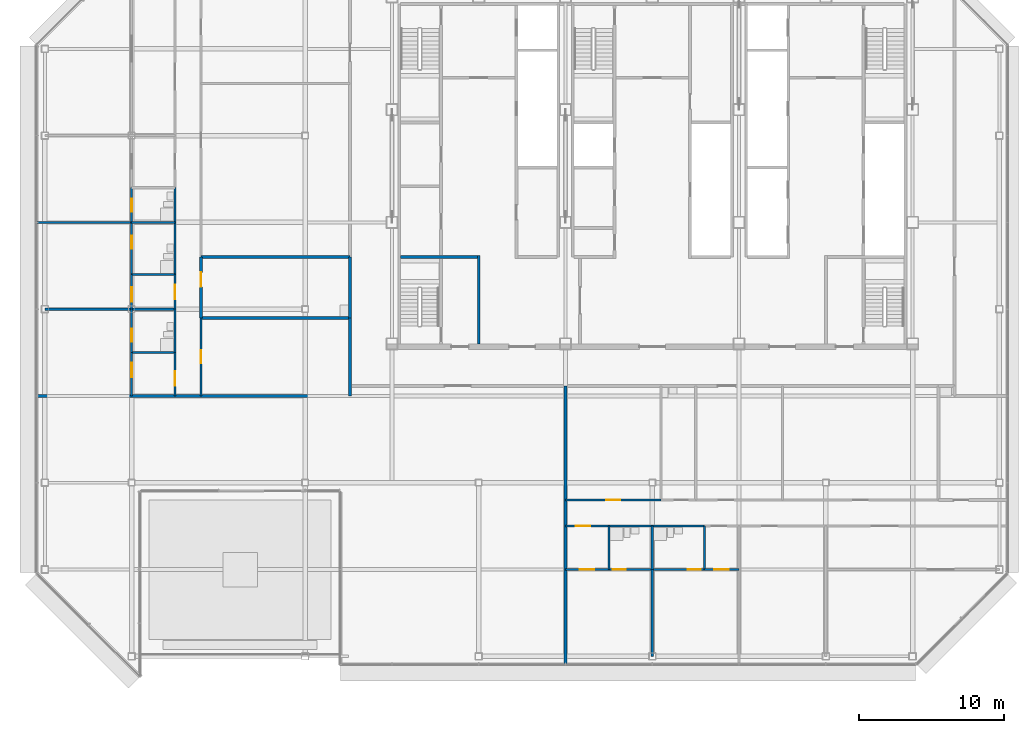
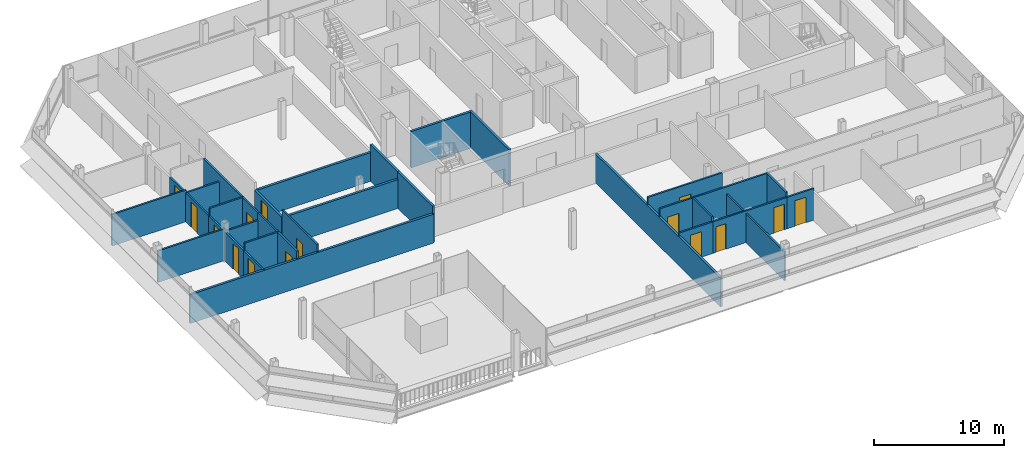
# One storey, part 23 of 31: 34 walls, 15 doors, 15 openings.
"""IFC4 building model written with IfcOpenShell, lengths in metres."""

from ifc_helpers import new_model, si_unit, direction, frame, frame_2d, origin, place, context, subcontext, project, spatial, rectangle, extrude, material, layer, layer_set, type_object, element, fill, save


model = new_model("IFC4")

# Units and contexts
model_context = context("Model", 3, precision=1e-05, world=origin(), true_north=direction((0.0, 1.0)))
body_context = subcontext(model_context, "Body", "Model", "MODEL_VIEW")
ifc_project = project(units=[si_unit("LENGTHUNIT", "METRE"), si_unit("AREAUNIT", "SQUARE_METRE"), si_unit("VOLUMEUNIT", "CUBIC_METRE"), si_unit("PLANEANGLEUNIT", "RADIAN"), si_unit("MASSUNIT", "GRAM", prefix="KILO")], contexts=[model_context])

# Site, building, storey
site_placement = place(None, origin())
site = spatial("IfcSite", under=ifc_project, at=site_placement, CompositionType="ELEMENT")
building_placement = place(site_placement, origin())
building = spatial("IfcBuilding", under=site, at=building_placement, Name="Sorahane Residences", CompositionType="ELEMENT")
storey_placement = place(building_placement, frame((0.0, 0.0, 319.60009765625)))
storey = spatial("IfcBuildingStorey", under=building, at=storey_placement, Name="L76", CompositionType="ELEMENT", Elevation=319.60009765625)

# Walls
ifc_material_1 = material(Name="Concrete blockwork C20 wall", Category="masonry")
ifc_layer_1 = layer(ifc_material_1, 0.199951171875)
ifc_layer_set_1 = layer_set([ifc_layer_1], Name="Corridor wall 200 EI 120")
wall_type_1 = type_object("IfcWallType", Name="Corridor wall 200 EI 120", PredefinedType="SOLIDWALL", material=ifc_layer_set_1)
wall_1_placement = place(storey_placement, frame((18.0, -0.60009765625, 0.0), z_axis=(0.0, 0.0, 1.0), x_axis=(0.0, 1.0, 0.0)))
element("IfcWall", 1, at=wall_1_placement, inside=storey, type_object=wall_type_1, Name="L76 corridor wall", PredefinedType="SOLIDWALL", context=body_context, shape_type="SweptSolid", body=[
    extrude(rectangle(XDim=19.300048828125, YDim=0.199951171875, at=frame_2d((9.64990234375, 0.0))), origin(), (0.0, 0.0, 1.0), 2.719970703125),
])
wall_2_placement = place(storey_placement, frame((3.10009765625, 18.001953125, 0.0), z_axis=(0.0, 0.0, 1.0), x_axis=(0.0, 1.0, 0.0)))
element("IfcWall", 2, at=wall_2_placement, inside=storey, type_object=wall_type_1, Name="L76 corridor wall", PredefinedType="SOLIDWALL", context=body_context, shape_type="SweptSolid", body=[
    extrude(rectangle(XDim=5.39794921875, YDim=0.199951171875, at=frame_2d((2.698974609375, 0.0))), origin(), (0.0, 0.0, 1.0), 3.419921875),
])
wall_3_placement = place(storey_placement, frame((-18.60009765625, 18.0, 0.0), z_axis=(0.0, 0.0, 1.0), x_axis=(1.0, 0.0, 0.0)))
element("IfcWall", 3, at=wall_3_placement, inside=storey, type_object=wall_type_1, Name="L76 corridor wall", PredefinedType="SOLIDWALL", context=body_context, shape_type="SweptSolid", body=[
    extrude(rectangle(XDim=21.697998046875, YDim=0.199951171875, at=frame_2d((10.84912109375, 0.0))), origin(), (0.0, 0.0, 1.0), 2.719970703125),
])
ifc_material_2 = material(Name="Concrete C30", Category="concrete")
ifc_layer_2 = layer(ifc_material_2, 0.199951171875)
ifc_layer_set_2 = layer_set([ifc_layer_2], Name="Front room wall 200 EI 120")
wall_type_2 = type_object("IfcWallType", Name="Front room wall 200 EI 120", PredefinedType="PARTITIONING", material=ifc_layer_set_2)
wall_4_placement = place(storey_placement, frame((12.0, 21.60009765625, 0.0), z_axis=(0.0, 0.0, 1.0), x_axis=(0.0, 1.0, 0.0)))
element("IfcWall", 4, at=wall_4_placement, inside=storey, type_object=wall_type_2, Name="L76 front room wall", PredefinedType="PARTITIONING", context=body_context, shape_type="SweptSolid", body=[
    extrude(rectangle(XDim=6.099853515625, YDim=0.199951171875, at=frame_2d((3.0498046875, 0.0))), origin(), (0.0, 0.0, 1.0), 3.419921875),
])

# Wall, opening, door
ifc_material_3 = material(Name="Concrete blockwork C20 wall", Category="masonry")
ifc_layer_3 = layer(ifc_material_3, 0.199951171875)
ifc_layer_set_3 = layer_set([ifc_layer_3], Name="Kitchen wall 200 EI 180")
wall_type_3 = type_object("IfcWallType", Name="Kitchen wall 200 EI 180", PredefinedType="SOLIDWALL", material=ifc_layer_set_3)
wall_5_placement = place(storey_placement, frame((-7.199951171875, 23.39990234375, 0.0), z_axis=(0.0, 0.0, 1.0), x_axis=(0.0, 1.0, 0.0)))
wall_5 = element("IfcWall", 5, at=wall_5_placement, inside=storey, type_object=wall_type_3, Name="L76 kitchen wall", PredefinedType="SOLIDWALL", context=body_context, shape_type="SweptSolid", body=[
    extrude(rectangle(XDim=4.2001953125, YDim=0.199951171875, at=frame_2d((2.10009765625, 0.0))), origin(), (0.0, 0.0, 1.0), 2.719970703125),
])
opening_1_placement = place(wall_5_placement, frame((2.139892578125, 0.0, 0.0)))
opening_1 = element("IfcOpeningElement", 6, at=opening_1_placement, cuts=wall_5, Name="Opening L76-17", PredefinedType="OPENING", context=body_context, shape_type="SweptSolid", body=[
    extrude(rectangle(XDim=1.0, YDim=2.39990234375, at=frame_2d((0.5, 1.199951171875))), frame((0.0, 0.10986328125, 0.0), z_axis=(0.0, -1.0, 0.0), x_axis=(1.0, 0.0, 0.0)), (0.0, 0.0, 1.0), 0.219970703125),
])
ifc_material_4 = material(Name="Steel", Category="steel")
door_type_1 = type_object("IfcDoorType", Name="Kitchen door 1000x2400 FD120", OperationType="NOTDEFINED", PredefinedType="DOOR", material=ifc_material_4)
door_1_placement = place(opening_1_placement, frame((1.0, 0.0, 0.0), z_axis=(0.0, 0.0, 1.0), x_axis=(-1.0, 0.0, 0.0)))
door_1 = element("IfcDoor", 7, at=door_1_placement, inside=storey, type_object=door_type_1, Name="Kitchen door L76-17", OperationType="SINGLE_SWING_RIGHT", OverallHeight=2.39990234375, OverallWidth=1.0, PredefinedType="DOOR", context=body_context, shape_type="SweptSolid", body=[
    extrude(rectangle(XDim=1.0, YDim=2.39990234375, at=frame_2d((0.5, 1.199951171875))), frame((0.0, 0.02490234375, 0.0), z_axis=(0.0, -1.0, 0.0), x_axis=(1.0, 0.0, 0.0)), (0.0, 0.0, 1.0), 0.050048828125),
])
fill(opening_1, door_1)

# Walls
wall_6_placement = place(storey_placement, frame((3.10009765625, 23.39990234375, 0.0), z_axis=(0.0, 0.0, 1.0), x_axis=(0.0, 1.0, 0.0)))
element("IfcWall", 8, at=wall_6_placement, inside=storey, type_object=wall_type_3, Name="L76 kitchen wall", PredefinedType="SOLIDWALL", context=body_context, shape_type="SweptSolid", body=[
    extrude(rectangle(XDim=4.2001953125, YDim=0.199951171875, at=frame_2d((2.10009765625, 0.0))), origin(), (0.0, 0.0, 1.0), 3.419921875),
])
for number, where, z_axis, x_axis, name in (
    (9, (-7.199951171875, 23.39990234375, 0.0), (0.0, 0.0, 1.0), (1.0, 0.0, 0.0), "L76 kitchen wall"),
    (10, (-7.199951171875, 27.60009765625, 0.0), (0.0, 0.0, 1.0), (1.0, 0.0, 0.0), "L76 kitchen wall"),
):
    element("IfcWall", number, at=place(storey_placement, frame(where, z_axis=z_axis, x_axis=x_axis)), inside=storey, type_object=wall_type_3, Name=name, PredefinedType="SOLIDWALL", context=body_context, shape_type="SweptSolid", body=[
        extrude(rectangle(XDim=10.300048828125, YDim=0.199951171875, at=frame_2d((5.14990234375, 0.0))), origin(), (0.0, 0.0, 1.0), 2.719970703125),
    ])

# Wall, opening, door
ifc_material_5 = material(Name="Gypsum board partition on steel studs", Category="steel")
ifc_layer_4 = layer(ifc_material_5, 0.14990234375)
ifc_layer_set_4 = layer_set([ifc_layer_4], Name="Partition 150 EI 90")
wall_type_4 = type_object("IfcWallType", Name="Partition 150 EI 90", PredefinedType="PARTITIONING", material=ifc_layer_set_4)
wall_7_placement = place(storey_placement, frame((-12.0, 18.0, 0.0), z_axis=(0.0, 0.0, 1.0), x_axis=(0.0, 1.0, 0.0)))
wall_7 = element("IfcWall", 11, at=wall_7_placement, inside=storey, type_object=wall_type_4, Name="L76 partition", PredefinedType="PARTITIONING", context=body_context, shape_type="SweptSolid", body=[
    extrude(rectangle(XDim=3.0, YDim=0.14990234375, at=frame_2d((1.5, 0.0))), origin(), (0.0, 0.0, 1.0), 2.719970703125),
])
opening_2_placement = place(wall_7_placement, frame((1.300048828125, 0.0, 0.0)))
opening_2 = element("IfcOpeningElement", 12, at=opening_2_placement, cuts=wall_7, Name="Opening L76-24", PredefinedType="OPENING", context=body_context, shape_type="SweptSolid", body=[
    extrude(rectangle(XDim=1.0, YDim=2.39990234375, at=frame_2d((0.5, 1.199951171875))), frame((0.0, 0.0849609375, 0.0), z_axis=(0.0, -1.0, 0.0), x_axis=(1.0, 0.0, 0.0)), (0.0, 0.0, 1.0), 0.169921875),
])
ifc_material_6 = material(Name="Timber veneered fire door", Category="wood")
door_type_2 = type_object("IfcDoorType", Name="Room door 1000x2400 FD30", OperationType="NOTDEFINED", PredefinedType="DOOR", material=ifc_material_6)
door_2_placement = place(opening_2_placement, origin())
door_2 = element("IfcDoor", 13, at=door_2_placement, inside=storey, type_object=door_type_2, Name="Room door L76-24", OperationType="SINGLE_SWING_RIGHT", OverallHeight=2.39990234375, OverallWidth=1.0, PredefinedType="DOOR", context=body_context, shape_type="SweptSolid", body=[
    extrude(rectangle(XDim=1.0, YDim=2.39990234375, at=frame_2d((0.5, 1.199951171875))), frame((0.0, 0.02490234375, 0.0), z_axis=(0.0, -1.0, 0.0), x_axis=(1.0, 0.0, 0.0)), (0.0, 0.0, 1.0), 0.050048828125),
])
fill(opening_2, door_2)

wall_8_placement = place(storey_placement, frame((-12.0, 24.0, 0.0), z_axis=(0.0, 0.0, 1.0), x_axis=(0.0, 1.0, 0.0)))
wall_8 = element("IfcWall", 14, at=wall_8_placement, inside=storey, type_object=wall_type_4, Name="L76 partition", PredefinedType="PARTITIONING", context=body_context, shape_type="SweptSolid", body=[
    extrude(rectangle(XDim=2.39990234375, YDim=0.14990234375, at=frame_2d((1.199951171875, 0.0))), origin(), (0.0, 0.0, 1.0), 2.719970703125),
])
opening_3_placement = place(wall_8_placement, frame((0.52001953125, 0.0, 0.0)))
opening_3 = element("IfcOpeningElement", 15, at=opening_3_placement, cuts=wall_8, Name="Opening L76-26", PredefinedType="OPENING", context=body_context, shape_type="SweptSolid", body=[
    extrude(rectangle(XDim=1.0, YDim=2.39990234375, at=frame_2d((0.5, 1.199951171875))), frame((0.0, 0.0849609375, 0.0), z_axis=(0.0, -1.0, 0.0), x_axis=(1.0, 0.0, 0.0)), (0.0, 0.0, 1.0), 0.169921875),
])
door_3_placement = place(opening_3_placement, origin())
door_3 = element("IfcDoor", 16, at=door_3_placement, inside=storey, type_object=door_type_2, Name="Room door L76-26", OperationType="SINGLE_SWING_LEFT", OverallHeight=2.39990234375, OverallWidth=1.0, PredefinedType="DOOR", context=body_context, shape_type="SweptSolid", body=[
    extrude(rectangle(XDim=1.0, YDim=2.39990234375, at=frame_2d((0.5, 1.199951171875))), frame((0.0, 0.02490234375, 0.0), z_axis=(0.0, -1.0, 0.0), x_axis=(1.0, 0.0, 0.0)), (0.0, 0.0, 1.0), 0.050048828125),
])
fill(opening_3, door_3)

wall_9_placement = place(storey_placement, frame((-7.199951171875, 18.0, 0.0), z_axis=(0.0, 0.0, 1.0), x_axis=(0.0, 1.0, 0.0)))
wall_9 = element("IfcWall", 17, at=wall_9_placement, inside=storey, type_object=wall_type_4, Name="L76 partition", PredefinedType="PARTITIONING", context=body_context, shape_type="SweptSolid", body=[
    extrude(rectangle(XDim=5.39990234375, YDim=0.14990234375, at=frame_2d((2.699951171875, 0.0))), origin(), (0.0, 0.0, 1.0), 3.419921875),
])
opening_4_placement = place(wall_9_placement, frame((2.25, 0.0, 0.0)))
opening_4 = element("IfcOpeningElement", 18, at=opening_4_placement, cuts=wall_9, Name="Opening L76-16", PredefinedType="OPENING", context=body_context, shape_type="SweptSolid", body=[
    extrude(rectangle(XDim=0.89990234375, YDim=2.10009765625, at=frame_2d((0.449951171875, 1.050048828125))), frame((0.0, 0.0849609375, 0.0), z_axis=(0.0, -1.0, 0.0), x_axis=(1.0, 0.0, 0.0)), (0.0, 0.0, 1.0), 0.169921875),
])
ifc_material_7 = material(Name="Timber veneered fire door", Category="wood")
door_type_3 = type_object("IfcDoorType", Name="Service door 900x2100 FD30", OperationType="NOTDEFINED", PredefinedType="DOOR", material=ifc_material_7)
door_4_placement = place(opening_4_placement, frame((0.89990234375, 0.0, 0.0), z_axis=(0.0, 0.0, 1.0), x_axis=(-1.0, 0.0, 0.0)))
door_4 = element("IfcDoor", 19, at=door_4_placement, inside=storey, type_object=door_type_3, Name="Service door L76-16", OperationType="SINGLE_SWING_RIGHT", OverallHeight=2.10009765625, OverallWidth=0.89990234375, PredefinedType="DOOR", context=body_context, shape_type="SweptSolid", body=[
    extrude(rectangle(XDim=0.89990234375, YDim=2.10009765625, at=frame_2d((0.449951171875, 1.050048828125))), frame((0.0, 0.02490234375, 0.0), z_axis=(0.0, -1.0, 0.0), x_axis=(1.0, 0.0, 0.0)), (0.0, 0.0, 1.0), 0.050048828125),
])
fill(opening_4, door_4)

wall_10_placement = place(storey_placement, frame((-9.0, 18.0, 0.0), z_axis=(0.0, 0.0, 1.0), x_axis=(0.0, 1.0, 0.0)))
wall_10 = element("IfcWall", 20, at=wall_10_placement, inside=storey, type_object=wall_type_4, Name="L76 partition", PredefinedType="PARTITIONING", context=body_context, shape_type="SweptSolid", body=[
    extrude(rectangle(XDim=3.0, YDim=0.14990234375, at=frame_2d((1.5, 0.0))), origin(), (0.0, 0.0, 1.0), 3.419921875),
])
opening_5_placement = place(wall_10_placement, frame((0.699951171875, 0.0, 0.0)))
opening_5 = element("IfcOpeningElement", 21, at=opening_5_placement, cuts=wall_10, Name="Opening L76-20", PredefinedType="OPENING", context=body_context, shape_type="SweptSolid", body=[
    extrude(rectangle(XDim=1.0, YDim=2.39990234375, at=frame_2d((0.5, 1.199951171875))), frame((0.0, 0.0849609375, 0.0), z_axis=(0.0, -1.0, 0.0), x_axis=(1.0, 0.0, 0.0)), (0.0, 0.0, 1.0), 0.169921875),
])
door_5_placement = place(opening_5_placement, origin())
door_5 = element("IfcDoor", 22, at=door_5_placement, inside=storey, type_object=door_type_2, Name="Room door L76-20", OperationType="SINGLE_SWING_LEFT", OverallHeight=2.39990234375, OverallWidth=1.0, PredefinedType="DOOR", context=body_context, shape_type="SweptSolid", body=[
    extrude(rectangle(XDim=1.0, YDim=2.39990234375, at=frame_2d((0.5, 1.199951171875))), frame((0.0, 0.02490234375, 0.0), z_axis=(0.0, -1.0, 0.0), x_axis=(1.0, 0.0, 0.0)), (0.0, 0.0, 1.0), 0.050048828125),
])
fill(opening_5, door_5)

wall_11_placement = place(storey_placement, frame((-9.0, 24.0, 0.0), z_axis=(0.0, 0.0, 1.0), x_axis=(0.0, 1.0, 0.0)))
wall_11 = element("IfcWall", 23, at=wall_11_placement, inside=storey, type_object=wall_type_4, Name="L76 partition", PredefinedType="PARTITIONING", context=body_context, shape_type="SweptSolid", body=[
    extrude(rectangle(XDim=2.39990234375, YDim=0.14990234375, at=frame_2d((1.199951171875, 0.0))), origin(), (0.0, 0.0, 1.0), 3.419921875),
])
opening_6_placement = place(wall_11_placement, frame((0.699951171875, 0.0, 0.0)))
opening_6 = element("IfcOpeningElement", 24, at=opening_6_placement, cuts=wall_11, Name="Opening L76-21", PredefinedType="OPENING", context=body_context, shape_type="SweptSolid", body=[
    extrude(rectangle(XDim=1.0, YDim=2.39990234375, at=frame_2d((0.5, 1.199951171875))), frame((0.0, 0.0849609375, 0.0), z_axis=(0.0, -1.0, 0.0), x_axis=(1.0, 0.0, 0.0)), (0.0, 0.0, 1.0), 0.169921875),
])
door_6_placement = place(opening_6_placement, origin())
door_6 = element("IfcDoor", 25, at=door_6_placement, inside=storey, type_object=door_type_2, Name="Room door L76-21", OperationType="SINGLE_SWING_RIGHT", OverallHeight=2.39990234375, OverallWidth=1.0, PredefinedType="DOOR", context=body_context, shape_type="SweptSolid", body=[
    extrude(rectangle(XDim=1.0, YDim=2.39990234375, at=frame_2d((0.5, 1.199951171875))), frame((0.0, 0.02490234375, 0.0), z_axis=(0.0, -1.0, 0.0), x_axis=(1.0, 0.0, 0.0)), (0.0, 0.0, 1.0), 0.050048828125),
])
fill(opening_6, door_6)

# Wall
wall_12_placement = place(storey_placement, frame((24.0, 0.0, 0.0), z_axis=(0.0, 0.0, 1.0), x_axis=(0.0, 1.0, 0.0)))
element("IfcWall", 26, at=wall_12_placement, inside=storey, type_object=wall_type_4, Name="L76 partition", PredefinedType="PARTITIONING", context=body_context, shape_type="SweptSolid", body=[
    extrude(rectangle(XDim=6.0, YDim=0.14990234375, at=frame_2d((3.0, 0.0))), origin(), (0.0, 0.0, 1.0), 2.719970703125),
])

# Wall, opening, door
wall_13_placement = place(storey_placement, frame((18.0, 10.800048828125, 0.0), z_axis=(0.0, 0.0, 1.0), x_axis=(1.0, 0.0, 0.0)))
wall_13 = element("IfcWall", 27, at=wall_13_placement, inside=storey, type_object=wall_type_4, Name="L76 partition", PredefinedType="PARTITIONING", context=body_context, shape_type="SweptSolid", body=[
    extrude(rectangle(XDim=6.60009765625, YDim=0.14990234375, at=frame_2d((3.300048828125, 0.0))), origin(), (0.0, 0.0, 1.0), 3.419921875),
])
opening_7_placement = place(wall_13_placement, frame((2.800048828125, 0.0, 0.0)))
opening_7 = element("IfcOpeningElement", 28, at=opening_7_placement, cuts=wall_13, Name="Opening L76-02", PredefinedType="OPENING", context=body_context, shape_type="SweptSolid", body=[
    extrude(rectangle(XDim=1.0, YDim=2.39990234375, at=frame_2d((0.5, 1.199951171875))), frame((0.0, 0.0849609375, 0.0), z_axis=(0.0, -1.0, 0.0), x_axis=(1.0, 0.0, 0.0)), (0.0, 0.0, 1.0), 0.169921875),
])
door_7_placement = place(opening_7_placement, origin())
door_7 = element("IfcDoor", 29, at=door_7_placement, inside=storey, type_object=door_type_2, Name="Room door L76-02", OperationType="SINGLE_SWING_LEFT", OverallHeight=2.39990234375, OverallWidth=1.0, PredefinedType="DOOR", context=body_context, shape_type="SweptSolid", body=[
    extrude(rectangle(XDim=1.0, YDim=2.39990234375, at=frame_2d((0.5, 1.199951171875))), frame((0.0, 0.02490234375, 0.0), z_axis=(0.0, -1.0, 0.0), x_axis=(1.0, 0.0, 0.0)), (0.0, 0.0, 1.0), 0.050048828125),
])
fill(opening_7, door_7)

# Walls
wall_14_placement = place(storey_placement, frame((-18.0, 24.0, 0.0), z_axis=(0.0, 0.0, 1.0), x_axis=(1.0, 0.0, 0.0)))
element("IfcWall", 30, at=wall_14_placement, inside=storey, type_object=wall_type_4, Name="L76 partition", PredefinedType="PARTITIONING", context=body_context, shape_type="SweptSolid", body=[
    extrude(rectangle(XDim=6.0, YDim=0.14990234375, at=frame_2d((3.0, 0.0))), origin(), (0.0, 0.0, 1.0), 2.969970703125),
])
wall_15_placement = place(storey_placement, frame((-18.60009765625, 30.0, 0.0), z_axis=(0.0, 0.0, 1.0), x_axis=(1.0, 0.0, 0.0)))
element("IfcWall", 31, at=wall_15_placement, inside=storey, type_object=wall_type_4, Name="L76 partition", PredefinedType="PARTITIONING", context=body_context, shape_type="SweptSolid", body=[
    extrude(rectangle(XDim=6.60009765625, YDim=0.14990234375, at=frame_2d((3.300048828125, 0.0))), origin(), (0.0, 0.0, 1.0), 2.969970703125),
])

# Wall, opening, door
wall_16_placement = place(storey_placement, frame((18.0, 6.0, 0.0), z_axis=(0.0, 0.0, 1.0), x_axis=(1.0, 0.0, 0.0)))
wall_16 = element("IfcWall", 32, at=wall_16_placement, inside=storey, type_object=wall_type_4, Name="L76 partition", PredefinedType="PARTITIONING", context=body_context, shape_type="SweptSolid", body=[
    extrude(rectangle(XDim=3.0, YDim=0.14990234375, at=frame_2d((1.5, 0.0))), origin(), (0.0, 0.0, 1.0), 2.969970703125),
])
opening_8_placement = place(wall_16_placement, frame((1.0, 0.0, 0.0)))
opening_8 = element("IfcOpeningElement", 33, at=opening_8_placement, cuts=wall_16, Name="Opening L76-10", PredefinedType="OPENING", context=body_context, shape_type="SweptSolid", body=[
    extrude(rectangle(XDim=1.0, YDim=2.39990234375, at=frame_2d((0.5, 1.199951171875))), frame((0.0, 0.0849609375, 0.0), z_axis=(0.0, -1.0, 0.0), x_axis=(1.0, 0.0, 0.0)), (0.0, 0.0, 1.0), 0.169921875),
])
door_8_placement = place(opening_8_placement, frame((1.0, 0.0, 0.0), z_axis=(0.0, 0.0, 1.0), x_axis=(-1.0, 0.0, 0.0)))
door_8 = element("IfcDoor", 34, at=door_8_placement, inside=storey, type_object=door_type_2, Name="Room door L76-10", OperationType="SINGLE_SWING_LEFT", OverallHeight=2.39990234375, OverallWidth=1.0, PredefinedType="DOOR", context=body_context, shape_type="SweptSolid", body=[
    extrude(rectangle(XDim=1.0, YDim=2.39990234375, at=frame_2d((0.5, 1.199951171875))), frame((0.0, 0.02490234375, 0.0), z_axis=(0.0, -1.0, 0.0), x_axis=(1.0, 0.0, 0.0)), (0.0, 0.0, 1.0), 0.050048828125),
])
fill(opening_8, door_8)

wall_17_placement = place(storey_placement, frame((27.60009765625, 6.0, 0.0), z_axis=(0.0, 0.0, 1.0), x_axis=(1.0, 0.0, 0.0)))
wall_17 = element("IfcWall", 35, at=wall_17_placement, inside=storey, type_object=wall_type_4, Name="L76 partition", PredefinedType="PARTITIONING", context=body_context, shape_type="SweptSolid", body=[
    extrude(rectangle(XDim=2.39990234375, YDim=0.14990234375, at=frame_2d((1.199951171875, 0.0))), origin(), (0.0, 0.0, 1.0), 2.969970703125),
])
opening_9_placement = place(wall_17_placement, frame((0.699951171875, 0.0, 0.0)))
opening_9 = element("IfcOpeningElement", 36, at=opening_9_placement, cuts=wall_17, Name="Opening L76-12", PredefinedType="OPENING", context=body_context, shape_type="SweptSolid", body=[
    extrude(rectangle(XDim=1.0, YDim=2.39990234375, at=frame_2d((0.5, 1.199951171875))), frame((0.0, 0.0849609375, 0.0), z_axis=(0.0, -1.0, 0.0), x_axis=(1.0, 0.0, 0.0)), (0.0, 0.0, 1.0), 0.169921875),
])
door_9_placement = place(opening_9_placement, frame((1.0, 0.0, 0.0), z_axis=(0.0, 0.0, 1.0), x_axis=(-1.0, 0.0, 0.0)))
door_9 = element("IfcDoor", 37, at=door_9_placement, inside=storey, type_object=door_type_2, Name="Room door L76-12", OperationType="SINGLE_SWING_LEFT", OverallHeight=2.39990234375, OverallWidth=1.0, PredefinedType="DOOR", context=body_context, shape_type="SweptSolid", body=[
    extrude(rectangle(XDim=1.0, YDim=2.39990234375, at=frame_2d((0.5, 1.199951171875))), frame((0.0, 0.02490234375, 0.0), z_axis=(0.0, -1.0, 0.0), x_axis=(1.0, 0.0, 0.0)), (0.0, 0.0, 1.0), 0.050048828125),
])
fill(opening_9, door_9)

wall_18_placement = place(storey_placement, frame((18.0, 9.0, 0.0), z_axis=(0.0, 0.0, 1.0), x_axis=(1.0, 0.0, 0.0)))
wall_18 = element("IfcWall", 38, at=wall_18_placement, inside=storey, type_object=wall_type_4, Name="L76 partition", PredefinedType="PARTITIONING", context=body_context, shape_type="SweptSolid", body=[
    extrude(rectangle(XDim=3.0, YDim=0.14990234375, at=frame_2d((1.5, 0.0))), origin(), (0.0, 0.0, 1.0), 3.419921875),
])
opening_10_placement = place(wall_18_placement, frame((0.699951171875, 0.0, 0.0)))
opening_10 = element("IfcOpeningElement", 39, at=opening_10_placement, cuts=wall_18, Name="Opening L76-06", PredefinedType="OPENING", context=body_context, shape_type="SweptSolid", body=[
    extrude(rectangle(XDim=1.0, YDim=2.39990234375, at=frame_2d((0.5, 1.199951171875))), frame((0.0, 0.0849609375, 0.0), z_axis=(0.0, -1.0, 0.0), x_axis=(1.0, 0.0, 0.0)), (0.0, 0.0, 1.0), 0.169921875),
])
door_10_placement = place(opening_10_placement, frame((1.0, 0.0, 0.0), z_axis=(0.0, 0.0, 1.0), x_axis=(-1.0, 0.0, 0.0)))
door_10 = element("IfcDoor", 40, at=door_10_placement, inside=storey, type_object=door_type_2, Name="Room door L76-06", OperationType="SINGLE_SWING_RIGHT", OverallHeight=2.39990234375, OverallWidth=1.0, PredefinedType="DOOR", context=body_context, shape_type="SweptSolid", body=[
    extrude(rectangle(XDim=1.0, YDim=2.39990234375, at=frame_2d((0.5, 1.199951171875))), frame((0.0, 0.02490234375, 0.0), z_axis=(0.0, -1.0, 0.0), x_axis=(1.0, 0.0, 0.0)), (0.0, 0.0, 1.0), 0.050048828125),
])
fill(opening_10, door_10)

# Wall
ifc_material_8 = material(Name="Concrete C30", Category="concrete")
ifc_layer_5 = layer(ifc_material_8, 0.199951171875)
ifc_layer_set_5 = layer_set([ifc_layer_5], Name="Stair enclosure wall 200 EI 120")
wall_type_5 = type_object("IfcWallType", Name="Stair enclosure wall 200 EI 120", PredefinedType="SOLIDWALL", material=ifc_layer_set_5)
wall_19_placement = place(storey_placement, frame((6.60009765625, 27.60009765625, 0.0), z_axis=(0.0, 0.0, 1.0), x_axis=(1.0, 0.0, 0.0)))
element("IfcWall", 41, at=wall_19_placement, inside=storey, type_object=wall_type_5, Name="L76 stair enclosure wall", PredefinedType="SOLIDWALL", context=body_context, shape_type="SweptSolid", body=[
    extrude(rectangle(XDim=5.2998046875, YDim=0.199951171875, at=frame_2d((2.64990234375, 0.0))), origin(), (0.0, 0.0, 1.0), 3.419921875),
])

# Wall, opening, door
ifc_material_9 = material(Name="Gypsum board partition on steel studs", Category="steel")
ifc_layer_6 = layer(ifc_material_9, 0.14990234375)
ifc_layer_set_6 = layer_set([ifc_layer_6], Name="Wet wall 150 EI 90")
wall_type_6 = type_object("IfcWallType", Name="Wet wall 150 EI 90", PredefinedType="PARTITIONING", material=ifc_layer_set_6)
wall_20_placement = place(storey_placement, frame((-12.0, 21.0, 0.0), z_axis=(0.0, 0.0, 1.0), x_axis=(0.0, 1.0, 0.0)))
wall_20 = element("IfcWall", 42, at=wall_20_placement, inside=storey, type_object=wall_type_6, Name="L76 wet wall", PredefinedType="PARTITIONING", context=body_context, shape_type="SweptSolid", body=[
    extrude(rectangle(XDim=3.0, YDim=0.14990234375, at=frame_2d((1.5, 0.0))), origin(), (0.0, 0.0, 1.0), 2.719970703125),
])
opening_11_placement = place(wall_20_placement, frame((0.72998046875, 0.0, 0.0)))
opening_11 = element("IfcOpeningElement", 43, at=opening_11_placement, cuts=wall_20, Name="Opening L76-25", PredefinedType="OPENING", context=body_context, shape_type="SweptSolid", body=[
    extrude(rectangle(XDim=0.89990234375, YDim=2.39990234375, at=frame_2d((0.449951171875, 1.199951171875))), frame((0.0, 0.0849609375, 0.0), z_axis=(0.0, -1.0, 0.0), x_axis=(1.0, 0.0, 0.0)), (0.0, 0.0, 1.0), 0.169921875),
])
ifc_material_10 = material(Name="Timber veneered fire door", Category="wood")
door_type_4 = type_object("IfcDoorType", Name="Bathroom door 900x2400 FD30", OperationType="NOTDEFINED", PredefinedType="DOOR", material=ifc_material_10)
door_11_placement = place(opening_11_placement, origin())
door_11 = element("IfcDoor", 44, at=door_11_placement, inside=storey, type_object=door_type_4, Name="Bathroom door L76-25", OperationType="SINGLE_SWING_RIGHT", OverallHeight=2.39990234375, OverallWidth=0.89990234375, PredefinedType="DOOR", context=body_context, shape_type="SweptSolid", body=[
    extrude(rectangle(XDim=0.89990234375, YDim=2.39990234375, at=frame_2d((0.449951171875, 1.199951171875))), frame((0.0, 0.02490234375, 0.0), z_axis=(0.0, -1.0, 0.0), x_axis=(1.0, 0.0, 0.0)), (0.0, 0.0, 1.0), 0.050048828125),
])
fill(opening_11, door_11)

# Wall, openings, doors
wall_21_placement = place(storey_placement, frame((-12.0, 26.39990234375, 0.0), z_axis=(0.0, 0.0, 1.0), x_axis=(0.0, 1.0, 0.0)))
wall_21 = element("IfcWall", 45, at=wall_21_placement, inside=storey, type_object=wall_type_6, Name="L76 wet wall", PredefinedType="PARTITIONING", context=body_context, shape_type="SweptSolid", body=[
    extrude(rectangle(XDim=6.0, YDim=0.14990234375, at=frame_2d((3.0, 0.0))), origin(), (0.0, 0.0, 1.0), 2.719970703125),
])
opening_12_placement = place(wall_21_placement, frame((1.7900390625, 0.0, 0.0)))
opening_12 = element("IfcOpeningElement", 46, at=opening_12_placement, cuts=wall_21, Name="Opening L76-27", PredefinedType="OPENING", context=body_context, shape_type="SweptSolid", body=[
    extrude(rectangle(XDim=0.89990234375, YDim=2.39990234375, at=frame_2d((0.449951171875, 1.199951171875))), frame((0.0, 0.0849609375, 0.0), z_axis=(0.0, -1.0, 0.0), x_axis=(1.0, 0.0, 0.0)), (0.0, 0.0, 1.0), 0.169921875),
])
opening_13_placement = place(wall_21_placement, frame((4.35009765625, 0.0, 0.0)))
opening_13 = element("IfcOpeningElement", 47, at=opening_13_placement, cuts=wall_21, Name="Opening L76-29", PredefinedType="OPENING", context=body_context, shape_type="SweptSolid", body=[
    extrude(rectangle(XDim=0.89990234375, YDim=2.39990234375, at=frame_2d((0.449951171875, 1.199951171875))), frame((0.0, 0.0849609375, 0.0), z_axis=(0.0, -1.0, 0.0), x_axis=(1.0, 0.0, 0.0)), (0.0, 0.0, 1.0), 0.169921875),
])
door_12_placement = place(opening_12_placement, origin())
door_12 = element("IfcDoor", 48, at=door_12_placement, inside=storey, type_object=door_type_4, Name="Bathroom door L76-27", OperationType="SINGLE_SWING_LEFT", OverallHeight=2.39990234375, OverallWidth=0.89990234375, PredefinedType="DOOR", context=body_context, shape_type="SweptSolid", body=[
    extrude(rectangle(XDim=0.89990234375, YDim=2.39990234375, at=frame_2d((0.449951171875, 1.199951171875))), frame((0.0, 0.02490234375, 0.0), z_axis=(0.0, -1.0, 0.0), x_axis=(1.0, 0.0, 0.0)), (0.0, 0.0, 1.0), 0.050048828125),
])
fill(opening_12, door_12)
door_13_placement = place(opening_13_placement, origin())
door_13 = element("IfcDoor", 49, at=door_13_placement, inside=storey, type_object=door_type_4, Name="Bathroom door L76-29", OperationType="SINGLE_SWING_RIGHT", OverallHeight=2.39990234375, OverallWidth=0.89990234375, PredefinedType="DOOR", context=body_context, shape_type="SweptSolid", body=[
    extrude(rectangle(XDim=0.89990234375, YDim=2.39990234375, at=frame_2d((0.449951171875, 1.199951171875))), frame((0.0, 0.02490234375, 0.0), z_axis=(0.0, -1.0, 0.0), x_axis=(1.0, 0.0, 0.0)), (0.0, 0.0, 1.0), 0.050048828125),
])
fill(opening_13, door_13)

# Walls
wall_22_placement = place(storey_placement, frame((-9.0, 21.0, 0.0), z_axis=(0.0, 0.0, 1.0), x_axis=(0.0, 1.0, 0.0)))
element("IfcWall", 50, at=wall_22_placement, inside=storey, type_object=wall_type_6, Name="L76 wet wall", PredefinedType="PARTITIONING", context=body_context, shape_type="SweptSolid", body=[
    extrude(rectangle(XDim=3.0, YDim=0.14990234375, at=frame_2d((1.5, 0.0))), origin(), (0.0, 0.0, 1.0), 3.419921875),
])
wall_23_placement = place(storey_placement, frame((-9.0, 26.39990234375, 0.0), z_axis=(0.0, 0.0, 1.0), x_axis=(0.0, 1.0, 0.0)))
element("IfcWall", 51, at=wall_23_placement, inside=storey, type_object=wall_type_6, Name="L76 wet wall", PredefinedType="PARTITIONING", context=body_context, shape_type="SweptSolid", body=[
    extrude(rectangle(XDim=6.0, YDim=0.14990234375, at=frame_2d((3.0, 0.0))), origin(), (0.0, 0.0, 1.0), 3.419921875),
])
wall_24_placement = place(storey_placement, frame((21.0, 6.0, 0.0), z_axis=(0.0, 0.0, 1.0), x_axis=(0.0, 1.0, 0.0)))
element("IfcWall", 52, at=wall_24_placement, inside=storey, type_object=wall_type_6, Name="L76 wet wall", PredefinedType="PARTITIONING", context=body_context, shape_type="SweptSolid", body=[
    extrude(rectangle(XDim=3.0, YDim=0.14990234375, at=frame_2d((1.5, 0.0))), origin(), (0.0, 0.0, 1.0), 3.419921875),
])
wall_25_placement = place(storey_placement, frame((24.0, 6.0, 0.0), z_axis=(0.0, 0.0, 1.0), x_axis=(0.0, 1.0, 0.0)))
element("IfcWall", 53, at=wall_25_placement, inside=storey, type_object=wall_type_6, Name="L76 wet wall", PredefinedType="PARTITIONING", context=body_context, shape_type="SweptSolid", body=[
    extrude(rectangle(XDim=3.0, YDim=0.14990234375, at=frame_2d((1.5, 0.0))), origin(), (0.0, 0.0, 1.0), 2.719970703125),
])
for number, where, z_axis, x_axis, name in (
    (54, (27.60009765625, 6.0, 0.0), (0.0, 0.0, 1.0), (0.0, 1.0, 0.0), "L76 wet wall"),
    (55, (-12.0, 21.0, 0.0), (0.0, 0.0, 1.0), (1.0, 0.0, 0.0), "L76 wet wall"),
):
    element("IfcWall", number, at=place(storey_placement, frame(where, z_axis=z_axis, x_axis=x_axis)), inside=storey, type_object=wall_type_6, Name=name, PredefinedType="PARTITIONING", context=body_context, shape_type="SweptSolid", body=[
        extrude(rectangle(XDim=3.0, YDim=0.14990234375, at=frame_2d((1.5, 0.0))), origin(), (0.0, 0.0, 1.0), 3.419921875),
    ])
wall_26_placement = place(storey_placement, frame((-12.0, 24.0, 0.0), z_axis=(0.0, 0.0, 1.0), x_axis=(1.0, 0.0, 0.0)))
element("IfcWall", 56, at=wall_26_placement, inside=storey, type_object=wall_type_6, Name="L76 wet wall", PredefinedType="PARTITIONING", context=body_context, shape_type="SweptSolid", body=[
    extrude(rectangle(XDim=3.0, YDim=0.14990234375, at=frame_2d((1.5, 0.0))), origin(), (0.0, 0.0, 1.0), 2.719970703125),
])
wall_27_placement = place(storey_placement, frame((-12.0, 26.39990234375, 0.0), z_axis=(0.0, 0.0, 1.0), x_axis=(1.0, 0.0, 0.0)))
element("IfcWall", 57, at=wall_27_placement, inside=storey, type_object=wall_type_6, Name="L76 wet wall", PredefinedType="PARTITIONING", context=body_context, shape_type="SweptSolid", body=[
    extrude(rectangle(XDim=3.0, YDim=0.14990234375, at=frame_2d((1.5, 0.0))), origin(), (0.0, 0.0, 1.0), 3.419921875),
])
wall_28_placement = place(storey_placement, frame((-12.0, 30.0, 0.0), z_axis=(0.0, 0.0, 1.0), x_axis=(1.0, 0.0, 0.0)))
element("IfcWall", 58, at=wall_28_placement, inside=storey, type_object=wall_type_6, Name="L76 wet wall", PredefinedType="PARTITIONING", context=body_context, shape_type="SweptSolid", body=[
    extrude(rectangle(XDim=3.0, YDim=0.14990234375, at=frame_2d((1.5, 0.0))), origin(), (0.0, 0.0, 1.0), 2.719970703125),
])

# Wall, openings, doors
wall_29_placement = place(storey_placement, frame((21.0, 6.0, 0.0), z_axis=(0.0, 0.0, 1.0), x_axis=(1.0, 0.0, 0.0)))
wall_29 = element("IfcWall", 59, at=wall_29_placement, inside=storey, type_object=wall_type_6, Name="L76 wet wall", PredefinedType="PARTITIONING", context=body_context, shape_type="SweptSolid", body=[
    extrude(rectangle(XDim=6.60009765625, YDim=0.14990234375, at=frame_2d((3.300048828125, 0.0))), origin(), (0.0, 0.0, 1.0), 2.969970703125),
])
opening_14_placement = place(wall_29_placement, frame((0.25, 0.0, 0.0)))
opening_14 = element("IfcOpeningElement", 60, at=opening_14_placement, cuts=wall_29, Name="Opening L76-11", PredefinedType="OPENING", context=body_context, shape_type="SweptSolid", body=[
    extrude(rectangle(XDim=0.89990234375, YDim=2.39990234375, at=frame_2d((0.449951171875, 1.199951171875))), frame((0.0, 0.0849609375, 0.0), z_axis=(0.0, -1.0, 0.0), x_axis=(1.0, 0.0, 0.0)), (0.0, 0.0, 1.0), 0.169921875),
])
opening_15_placement = place(wall_29_placement, frame((5.449951171875, 0.0, 0.0)))
opening_15 = element("IfcOpeningElement", 61, at=opening_15_placement, cuts=wall_29, Name="Opening L76-13", PredefinedType="OPENING", context=body_context, shape_type="SweptSolid", body=[
    extrude(rectangle(XDim=0.89990234375, YDim=2.39990234375, at=frame_2d((0.449951171875, 1.199951171875))), frame((0.0, 0.0849609375, 0.0), z_axis=(0.0, -1.0, 0.0), x_axis=(1.0, 0.0, 0.0)), (0.0, 0.0, 1.0), 0.169921875),
])
door_14_placement = place(opening_14_placement, frame((0.89990234375, 0.0, 0.0), z_axis=(0.0, 0.0, 1.0), x_axis=(-1.0, 0.0, 0.0)))
door_14 = element("IfcDoor", 62, at=door_14_placement, inside=storey, type_object=door_type_4, Name="Bathroom door L76-11", OperationType="SINGLE_SWING_LEFT", OverallHeight=2.39990234375, OverallWidth=0.89990234375, PredefinedType="DOOR", context=body_context, shape_type="SweptSolid", body=[
    extrude(rectangle(XDim=0.89990234375, YDim=2.39990234375, at=frame_2d((0.449951171875, 1.199951171875))), frame((0.0, 0.02490234375, 0.0), z_axis=(0.0, -1.0, 0.0), x_axis=(1.0, 0.0, 0.0)), (0.0, 0.0, 1.0), 0.050048828125),
])
fill(opening_14, door_14)
door_15_placement = place(opening_15_placement, frame((0.89990234375, 0.0, 0.0), z_axis=(0.0, 0.0, 1.0), x_axis=(-1.0, 0.0, 0.0)))
door_15 = element("IfcDoor", 63, at=door_15_placement, inside=storey, type_object=door_type_4, Name="Bathroom door L76-13", OperationType="SINGLE_SWING_RIGHT", OverallHeight=2.39990234375, OverallWidth=0.89990234375, PredefinedType="DOOR", context=body_context, shape_type="SweptSolid", body=[
    extrude(rectangle(XDim=0.89990234375, YDim=2.39990234375, at=frame_2d((0.449951171875, 1.199951171875))), frame((0.0, 0.02490234375, 0.0), z_axis=(0.0, -1.0, 0.0), x_axis=(1.0, 0.0, 0.0)), (0.0, 0.0, 1.0), 0.050048828125),
])
fill(opening_15, door_15)

# Wall
wall_30_placement = place(storey_placement, frame((21.0, 9.0, 0.0), z_axis=(0.0, 0.0, 1.0), x_axis=(1.0, 0.0, 0.0)))
element("IfcWall", 64, at=wall_30_placement, inside=storey, type_object=wall_type_6, Name="L76 wet wall", PredefinedType="PARTITIONING", context=body_context, shape_type="SweptSolid", body=[
    extrude(rectangle(XDim=6.60009765625, YDim=0.14990234375, at=frame_2d((3.300048828125, 0.0))), origin(), (0.0, 0.0, 1.0), 3.419921875),
])

save(model, "model.ifc")
